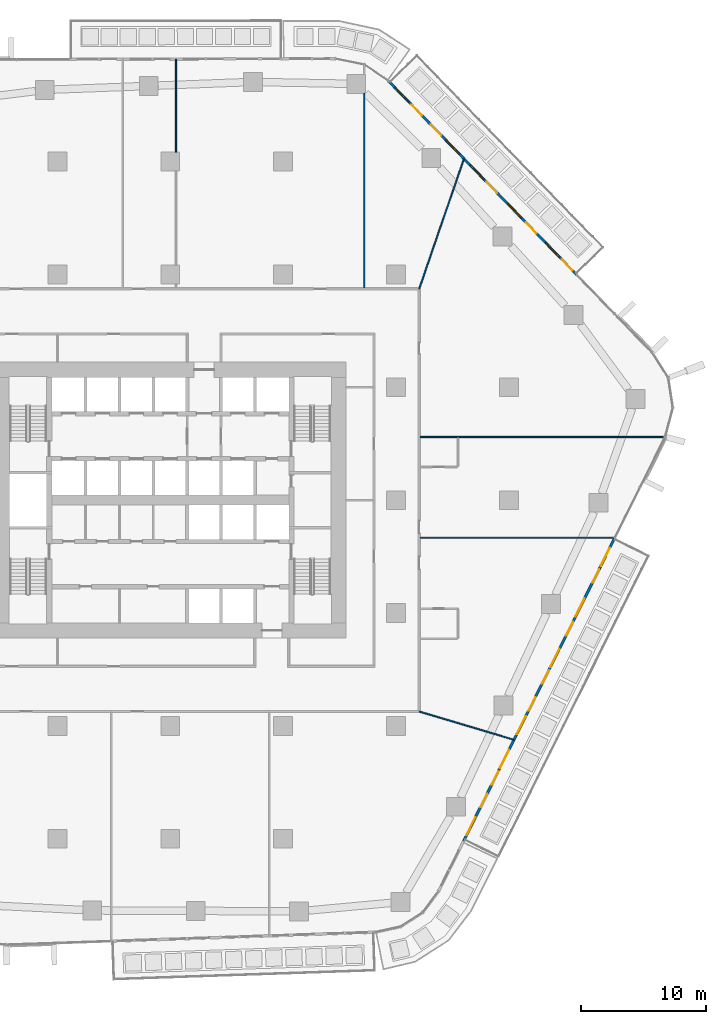
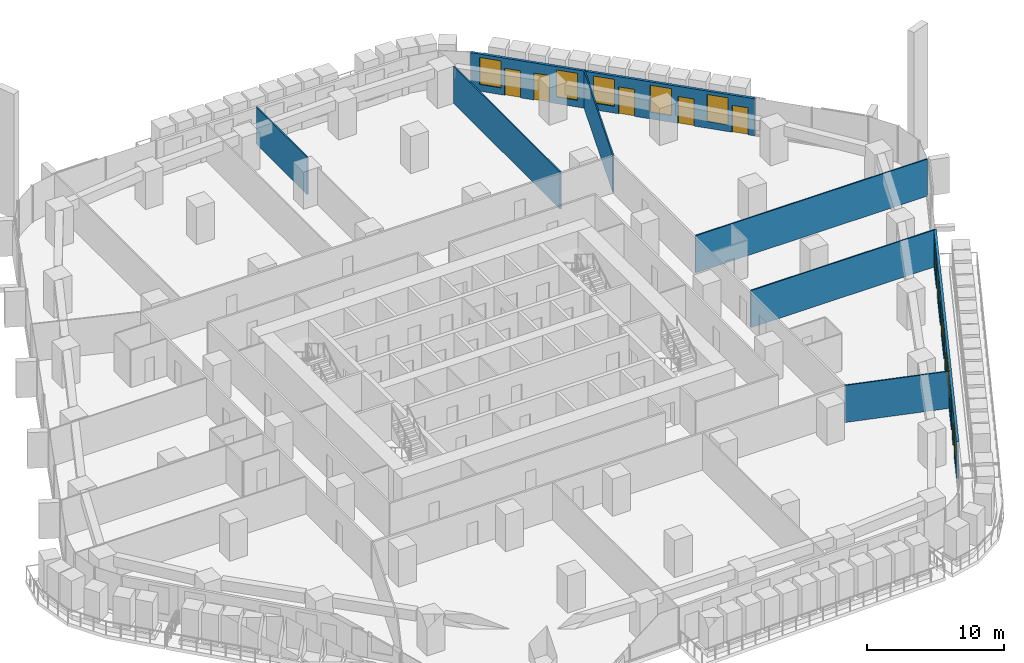
# One storey, part 17 of 26: 11 doors, 11 windows, 8 walls, 22 openings.
"""IFC4 building model written with IfcOpenShell, lengths in metres."""

import ifcopenshell
import ifcopenshell.guid

model = None  # the IFC model being written
_history = None  # IfcOwnerHistory: only IFC2X3 demands one
_inside = {}  # id of a spatial element -> (the spatial element, [elements in it])
_under = {}  # id of a project, library or spatial element -> (it, [spatial elements below it])
_declared = {}  # id of a project -> (the project, [libraries it declares])
_typed = {}  # id of a type object -> (the type object, [elements of that type])
_made_of = {}  # id of a material, layer set ... -> (it, [elements and type objects made of it])


def new_model(schema):
    """Start an empty IFC model of exactly this schema.

    Asked for "IFC4X3", IfcOpenShell would pick the latest addendum, in which some entities
    have other attributes; the version numbers below select the first issue.
    IFC2X3 requires an IfcOwnerHistory on every rooted entity: one is made here for all.
    """
    global model, _history
    if schema == "IFC4X3":
        model = ifcopenshell.file(schema_version=(4, 3, 0, 0))
    else:
        model = ifcopenshell.file(schema=schema)
    _inside.clear()
    _under.clear()
    _declared.clear()
    _typed.clear()
    _made_of.clear()
    _history = None
    if model.schema == "IFC2X3":
        org = make("IfcOrganization", Name="unknown")
        user = make(
            "IfcPersonAndOrganization",
            ThePerson=make("IfcPerson", FamilyName="unknown"),
            TheOrganization=org,
        )
        app = make(
            "IfcApplication",
            ApplicationDeveloper=org,
            Version="unknown",
            ApplicationFullName="unknown",
            ApplicationIdentifier="unknown",
        )
        _history = make(
            "IfcOwnerHistory",
            OwningUser=user,
            OwningApplication=app,
            ChangeAction="ADDED",
            CreationDate=0,
        )
    return model


def make(cls, **values):
    """One entity of the class cls with the attributes given. An attribute that is None is left unset."""
    return model.create_entity(
        cls, **{name: value for name, value in values.items() if value is not None}
    )


def rooted(cls, **values):
    """An entity with a GlobalId (a new one), such as an element, a storey or a relation."""
    return make(cls, GlobalId=ifcopenshell.guid.new(), OwnerHistory=_history, **values)


def si_unit(unit_type, name, prefix=None):
    """IfcSIUnit, for example si_unit("LENGTHUNIT", "METRE", prefix="MILLI")."""
    return make("IfcSIUnit", UnitType=unit_type, Prefix=prefix, Name=name)


def assignment(units):
    """IfcUnitAssignment: the units of a project."""
    return None if units is None else make("IfcUnitAssignment", Units=units)


def point(xyz):
    """IfcCartesianPoint."""
    return None if xyz is None else make("IfcCartesianPoint", Coordinates=xyz)


def direction(xyz):
    """IfcDirection."""
    return None if xyz is None else make("IfcDirection", DirectionRatios=xyz)


def frame(location, z_axis=None, x_axis=None):
    """IfcAxis2Placement3D, a coordinate frame: its origin and axes. An axis left out is left unset."""
    return make(
        "IfcAxis2Placement3D",
        Location=point(location),
        Axis=direction(z_axis),
        RefDirection=direction(x_axis),
    )


def frame_2d(location, x_axis=None):
    """IfcAxis2Placement2D, a coordinate frame in the plane: its origin and x axis."""
    return make(
        "IfcAxis2Placement2D", Location=point(location), RefDirection=direction(x_axis)
    )


def origin():
    """The frame at (0, 0, 0) with its axes left unset."""
    return frame((0.0, 0.0, 0.0))


def place(relative_to, where):
    """IfcLocalPlacement: puts the frame where relative to a parent placement (None: the world)."""
    return make(
        "IfcLocalPlacement", PlacementRelTo=relative_to, RelativePlacement=where
    )


def context(
    kind, dimensions, precision=None, world=None, true_north=None, identifier=None
):
    """IfcGeometricRepresentationContext, for example the 3D "Model" context."""
    return make(
        "IfcGeometricRepresentationContext",
        ContextIdentifier=identifier,
        ContextType=kind,
        CoordinateSpaceDimension=dimensions,
        Precision=precision,
        WorldCoordinateSystem=world,
        TrueNorth=true_north,
    )


def subcontext(parent, identifier, kind, view, scale=None):
    """IfcGeometricRepresentationSubContext, for example "Body" below "Model"."""
    return make(
        "IfcGeometricRepresentationSubContext",
        ContextIdentifier=identifier,
        ContextType=kind,
        ParentContext=parent,
        TargetScale=scale,
        TargetView=view,
    )


def project(units=None, contexts=None):
    """IfcProject with its units and contexts."""
    return rooted(
        "IfcProject",
        Name="project",
        RepresentationContexts=contexts,
        UnitsInContext=assignment(units),
    )


def spatial(cls, under=None, at=None, **own):
    """A site, building, storey or space (cls), placed at a placement, below another one or the project."""
    s = rooted(cls, ObjectPlacement=at, **own)
    if under is not None:
        _under.setdefault(under.id(), (under, []))[1].append(s)
    return s


def profile(cls, at=None, kind="AREA", **sizes):
    """A parametric profile (cls). Its sizes go by their IFC names, for example OverallWidth=200.0."""
    return make(cls, ProfileType=kind, Position=at, **sizes)


def rectangle(**sizes):
    """IfcRectangleProfileDef."""
    return profile("IfcRectangleProfileDef", **sizes)


def extrude(swept, where, along, depth):
    """IfcExtrudedAreaSolid: the profile swept, set in the frame where, extruded along a direction by depth."""
    return make(
        "IfcExtrudedAreaSolid",
        SweptArea=swept,
        Position=where,
        ExtrudedDirection=direction(along),
        Depth=depth,
    )


def shape(context_of_items, identifier, shape_type, items):
    """IfcShapeRepresentation: the items that make up one representation, for example the "Body"."""
    return make(
        "IfcShapeRepresentation",
        ContextOfItems=context_of_items,
        RepresentationIdentifier=identifier,
        RepresentationType=shape_type,
        Items=items,
    )


def material(Name=None, Category=None):
    """IfcMaterial."""
    return make("IfcMaterial", Name=Name, Category=Category)


def layer(
    of_material, thickness, ventilated=None, Name=None, Category=None, Priority=None
):
    """IfcMaterialLayer: one layer of a wall or slab, of a material (None: an air gap)."""
    return make(
        "IfcMaterialLayer",
        Material=of_material,
        LayerThickness=thickness,
        IsVentilated=ventilated,
        Name=Name,
        Category=Category,
        Priority=Priority,
    )


def layer_set(layers, Name=None):
    """IfcMaterialLayerSet."""
    return make("IfcMaterialLayerSet", MaterialLayers=layers, LayerSetName=Name)


def made_of(thing, what):
    """Note that an element or type object is made of a material, layer set ...; save() writes the relation."""
    if what is not None:
        _made_of.setdefault(what.id(), (what, []))[1].append(thing)
    return thing


def type_object(cls, material=None, **own):
    """A type object (cls), such as IfcWallType, which elements share."""
    return made_of(rooted(cls, **own), material)


def element(
    cls,
    number,
    at=None,
    inside=None,
    cuts=None,
    type_object=None,
    material=None,
    context=None,
    identifier="Body",
    shape_type=None,
    held_by="IfcProductDefinitionShape",
    body=None,
    shapes=None,
    **own,
):
    """One element of the class cls, such as IfcWall. Its Tag is "e" and its number.

    at: its placement. inside: the storey or other place that contains it. cuts: it is an
    opening in that element (IfcRelVoidsElement). A single representation is given by context,
    identifier, shape_type and body (its items); several are given by shapes. held_by: the class
    of the entity that holds the representations. save() writes the other relations.
    """
    e = rooted(cls, Tag="e%d" % number, ObjectPlacement=at, **own)
    if body is not None:
        shapes = [shape(context, identifier, shape_type, body)]
    if shapes is not None:
        e.Representation = make(held_by, Representations=shapes)
    if inside is not None:
        _inside.setdefault(inside.id(), (inside, []))[1].append(e)
    if cuts is not None:
        rooted(
            "IfcRelVoidsElement", RelatingBuildingElement=cuts, RelatedOpeningElement=e
        )
    if type_object is not None:
        _typed.setdefault(type_object.id(), (type_object, []))[1].append(e)
    return made_of(e, material)


def fill(opening, filler):
    """IfcRelFillsElement: the door or window that sits in an opening."""
    return rooted(
        "IfcRelFillsElement",
        RelatingOpeningElement=opening,
        RelatedBuildingElement=filler,
    )


def aggregate(whole, parts):
    """IfcRelAggregates: a whole, such as a stair, and the parts it consists of."""
    return rooted("IfcRelAggregates", RelatingObject=whole, RelatedObjects=parts)


def save(model, path):
    """Write the relations noted so far, then the file.

    IfcRelAggregates (storeys below a building ...), IfcRelContainedInSpatialStructure (elements
    in a storey), IfcRelDefinesByType, IfcRelAssociatesMaterial and IfcRelDeclares: one each for
    every whole, place, type object, material and project.
    """
    for whole, parts in _under.values():
        aggregate(whole, parts)
    for where, things in _inside.values():
        rooted(
            "IfcRelContainedInSpatialStructure",
            RelatedElements=things,
            RelatingStructure=where,
        )
    for kind, things in _typed.values():
        rooted("IfcRelDefinesByType", RelatedObjects=things, RelatingType=kind)
    for what, things in _made_of.values():
        rooted("IfcRelAssociatesMaterial", RelatedObjects=things, RelatingMaterial=what)
    for by, libraries in _declared.values():
        rooted("IfcRelDeclares", RelatingContext=by, RelatedDefinitions=libraries)
    model.write(path)


model = new_model("IFC4")

# Units and contexts
model_context = context("Model", 3, precision=1e-05, world=origin(), true_north=direction((0.0, 1.0)))
body_context = subcontext(model_context, "Body", "Model", "MODEL_VIEW")
ifc_project = project(units=[si_unit("LENGTHUNIT", "METRE"), si_unit("AREAUNIT", "SQUARE_METRE"), si_unit("VOLUMEUNIT", "CUBIC_METRE"), si_unit("PLANEANGLEUNIT", "RADIAN"), si_unit("MASSUNIT", "GRAM", prefix="KILO")], contexts=[model_context])

# Site, building, storey
site_placement = place(None, origin())
site = spatial("IfcSite", under=ifc_project, at=site_placement, CompositionType="ELEMENT")
building_placement = place(site_placement, origin())
building = spatial("IfcBuilding", under=site, at=building_placement, Name="Dongbaek Canopy Tower", CompositionType="ELEMENT")
storey_placement = place(building_placement, frame((0.0, 0.0, 66.199951171875)))
storey = spatial("IfcBuildingStorey", under=building, at=storey_placement, Name="L12", CompositionType="ELEMENT", Elevation=66.199951171875)

# Walls
ifc_material_1 = material(Name="Gypsum board partition, steel stud, 2 x 12.5 mm board", Category="steel")
ifc_layer_1 = layer(ifc_material_1, 0.10009765625)
ifc_layer_set_1 = layer_set([ifc_layer_1], Name="Partition 100 gypsum board")
wall_type_1 = type_object("IfcWallType", Name="Partition 100 gypsum board", PredefinedType="PARTITIONING", material=ifc_layer_set_1)
wall_1_placement = place(storey_placement, frame((19.925048828125, -3.0048828125, 0.0), z_axis=(0.0, 0.0, 1.0), x_axis=(1.0, 0.0, 0.0)))
element("IfcWall", 1, at=wall_1_placement, inside=storey, type_object=wall_type_1, Name="Partition", PredefinedType="PARTITIONING", context=body_context, shape_type="SweptSolid", body=[
    extrude(rectangle(XDim=15.5, YDim=0.10009765625, at=frame_2d((7.75, 0.0))), origin(), (0.0, 0.0, 1.0), 3.300048828125),
])
wall_2_placement = place(storey_placement, frame((19.925048828125, 5.0390625, 0.0), z_axis=(0.0, 0.0, 1.0), x_axis=(1.0, 0.0, 0.0)))
element("IfcWall", 2, at=wall_2_placement, inside=storey, type_object=wall_type_1, Name="Partition", PredefinedType="PARTITIONING", context=body_context, shape_type="SweptSolid", body=[
    extrude(rectangle(XDim=19.51318359375, YDim=0.10009765625, at=frame_2d((9.756591796875, 0.0))), origin(), (0.0, 0.0, 1.0), 3.300048828125),
])
wall_3_placement = place(storey_placement, frame((19.850341796875, 16.849853515625, 0.0), z_axis=(0.0, 0.0, 1.0), x_axis=(0.32525482398, 0.94562640587, 0.0)))
element("IfcWall", 3, at=wall_3_placement, inside=storey, type_object=wall_type_1, Name="Partition", PredefinedType="PARTITIONING", context=body_context, shape_type="SweptSolid", body=[
    extrude(rectangle(XDim=10.9521484375, YDim=0.10009765625, at=frame_2d((5.47607421875, 0.0))), origin(), (0.0, 0.0, 1.0), 3.300048828125),
])
wall_4_placement = place(storey_placement, frame((15.47607421875, 16.925048828125, 0.0), z_axis=(0.0, 0.0, 1.0), x_axis=(0.0, 1.0, 0.0)))
element("IfcWall", 4, at=wall_4_placement, inside=storey, type_object=wall_type_1, Name="Partition", PredefinedType="PARTITIONING", context=body_context, shape_type="SweptSolid", body=[
    extrude(rectangle(XDim=15.51904296875, YDim=0.10009765625, at=frame_2d((7.759521484375, 0.0))), origin(), (0.0, 0.0, 1.0), 3.300048828125),
])
wall_5_placement = place(storey_placement, frame((0.451904296875, 27.75, 0.0), z_axis=(0.0, 0.0, 1.0), x_axis=(0.0, 1.0, 0.0)))
element("IfcWall", 5, at=wall_5_placement, inside=storey, type_object=wall_type_1, Name="Partition", PredefinedType="PARTITIONING", context=body_context, shape_type="SweptSolid", body=[
    extrude(rectangle(XDim=7.407470703125, YDim=0.10009765625, at=frame_2d((3.70361328125, 0.0))), origin(), (0.0, 0.0, 1.0), 3.300048828125),
])
wall_6_placement = place(storey_placement, frame((19.85009765625, -16.85009765625, 0.0), z_axis=(0.0, 0.0, 1.0), x_axis=(0.958075156501, -0.286517005597, 0.0)))
element("IfcWall", 6, at=wall_6_placement, inside=storey, type_object=wall_type_1, Name="Partition", PredefinedType="PARTITIONING", context=body_context, shape_type="SweptSolid", body=[
    extrude(rectangle(XDim=7.87255859375, YDim=0.10009765625, at=frame_2d((3.936279296875, 0.0))), origin(), (0.0, 0.0, 1.0), 3.300048828125),
])

# Wall, openings, doors, windows
ifc_material_2 = material(Name="Aluminium window wall", Category="aluminium")
ifc_layer_2 = layer(ifc_material_2, 0.199951171875)
ifc_layer_set_2 = layer_set([ifc_layer_2], Name="Window wall 200")
wall_type_2 = type_object("IfcWallType", Name="Window wall 200", PredefinedType="SOLIDWALL", material=ifc_layer_set_2)
wall_7_placement = place(storey_placement, frame((32.41650390625, 17.968994140625, 0.0), z_axis=(0.0, 0.0, 1.0), x_axis=(-0.696878416696, 0.717189286272, 0.0)))
wall_7 = element("IfcWall", 7, at=wall_7_placement, inside=storey, type_object=wall_type_2, Name="Window wall L12 1", PredefinedType="SOLIDWALL", context=body_context, shape_type="SweptSolid", body=[
    extrude(rectangle(XDim=21.51611328125, YDim=0.199951171875, at=frame_2d((10.758056640625, 0.0))), origin(), (0.0, 0.0, 1.0), 3.300048828125),
])
opening_1_placement = place(wall_7_placement, frame((2.0, 0.0, 0.60009765625)))
opening_1 = element("IfcOpeningElement", 8, at=opening_1_placement, cuts=wall_7, Name="Opening W1", PredefinedType="OPENING", context=body_context, shape_type="SweptSolid", body=[
    extrude(rectangle(XDim=1.60009765625, YDim=2.39990234375, at=frame_2d((0.800048828125, 1.199951171875))), frame((0.0, 0.10986328125, 0.0), z_axis=(0.0, -1.0, 0.0), x_axis=(1.0, 0.0, 0.0)), (0.0, 0.0, 1.0), 0.219970703125),
])
opening_2_placement = place(wall_7_placement, frame((0.5, 0.0, 0.0)))
opening_2 = element("IfcOpeningElement", 9, at=opening_2_placement, cuts=wall_7, Name="Opening L12-B01", PredefinedType="OPENING", context=body_context, shape_type="SweptSolid", body=[
    extrude(rectangle(XDim=1.199951171875, YDim=2.39990234375, at=frame_2d((0.60009765625, 1.199951171875))), frame((0.0, 0.10986328125, 0.0), z_axis=(0.0, -1.0, 0.0), x_axis=(1.0, 0.0, 0.0)), (0.0, 0.0, 1.0), 0.219970703125),
])
opening_3_placement = place(wall_7_placement, frame((6.30322265625, 0.0, 0.60009765625)))
opening_3 = element("IfcOpeningElement", 10, at=opening_3_placement, cuts=wall_7, Name="Opening W1", PredefinedType="OPENING", context=body_context, shape_type="SweptSolid", body=[
    extrude(rectangle(XDim=1.60009765625, YDim=2.39990234375, at=frame_2d((0.800048828125, 1.199951171875))), frame((0.0, 0.10986328125, 0.0), z_axis=(0.0, -1.0, 0.0), x_axis=(1.0, 0.0, 0.0)), (0.0, 0.0, 1.0), 0.219970703125),
])
opening_4_placement = place(wall_7_placement, frame((4.603271484375, 0.0, 0.0)))
opening_4 = element("IfcOpeningElement", 11, at=opening_4_placement, cuts=wall_7, Name="Opening L12-B02", PredefinedType="OPENING", context=body_context, shape_type="SweptSolid", body=[
    extrude(rectangle(XDim=1.199951171875, YDim=2.39990234375, at=frame_2d((0.60009765625, 1.199951171875))), frame((0.0, 0.10986328125, 0.0), z_axis=(0.0, -1.0, 0.0), x_axis=(1.0, 0.0, 0.0)), (0.0, 0.0, 1.0), 0.219970703125),
])
opening_5_placement = place(wall_7_placement, frame((10.6064453125, 0.0, 0.60009765625)))
opening_5 = element("IfcOpeningElement", 12, at=opening_5_placement, cuts=wall_7, Name="Opening W1", PredefinedType="OPENING", context=body_context, shape_type="SweptSolid", body=[
    extrude(rectangle(XDim=1.60009765625, YDim=2.39990234375, at=frame_2d((0.800048828125, 1.199951171875))), frame((0.0, 0.10986328125, 0.0), z_axis=(0.0, -1.0, 0.0), x_axis=(1.0, 0.0, 0.0)), (0.0, 0.0, 1.0), 0.219970703125),
])
opening_6_placement = place(wall_7_placement, frame((9.1064453125, 0.0, 0.0)))
opening_6 = element("IfcOpeningElement", 13, at=opening_6_placement, cuts=wall_7, Name="Opening L12-B03", PredefinedType="OPENING", context=body_context, shape_type="SweptSolid", body=[
    extrude(rectangle(XDim=1.199951171875, YDim=2.39990234375, at=frame_2d((0.60009765625, 1.199951171875))), frame((0.0, 0.10986328125, 0.0), z_axis=(0.0, -1.0, 0.0), x_axis=(1.0, 0.0, 0.0)), (0.0, 0.0, 1.0), 0.219970703125),
])
opening_7_placement = place(wall_7_placement, frame((13.40966796875, 0.0, 0.60009765625)))
opening_7 = element("IfcOpeningElement", 14, at=opening_7_placement, cuts=wall_7, Name="Opening W1", PredefinedType="OPENING", context=body_context, shape_type="SweptSolid", body=[
    extrude(rectangle(XDim=1.60009765625, YDim=2.39990234375, at=frame_2d((0.800048828125, 1.199951171875))), frame((0.0, 0.10986328125, 0.0), z_axis=(0.0, -1.0, 0.0), x_axis=(1.0, 0.0, 0.0)), (0.0, 0.0, 1.0), 0.219970703125),
])
opening_8_placement = place(wall_7_placement, frame((15.509765625, 0.0, 0.0)))
opening_8 = element("IfcOpeningElement", 15, at=opening_8_placement, cuts=wall_7, Name="Opening L12-B04", PredefinedType="OPENING", context=body_context, shape_type="SweptSolid", body=[
    extrude(rectangle(XDim=1.199951171875, YDim=2.39990234375, at=frame_2d((0.60009765625, 1.199951171875))), frame((0.0, 0.10986328125, 0.0), z_axis=(0.0, -1.0, 0.0), x_axis=(1.0, 0.0, 0.0)), (0.0, 0.0, 1.0), 0.219970703125),
])
opening_9_placement = place(wall_7_placement, frame((19.212890625, 0.0, 0.60009765625)))
opening_9 = element("IfcOpeningElement", 16, at=opening_9_placement, cuts=wall_7, Name="Opening W1", PredefinedType="OPENING", context=body_context, shape_type="SweptSolid", body=[
    extrude(rectangle(XDim=1.60009765625, YDim=2.39990234375, at=frame_2d((0.800048828125, 1.199951171875))), frame((0.0, 0.10986328125, 0.0), z_axis=(0.0, -1.0, 0.0), x_axis=(1.0, 0.0, 0.0)), (0.0, 0.0, 1.0), 0.219970703125),
])
opening_10_placement = place(wall_7_placement, frame((17.712890625, 0.0, 0.0)))
opening_10 = element("IfcOpeningElement", 17, at=opening_10_placement, cuts=wall_7, Name="Opening L12-B05", PredefinedType="OPENING", context=body_context, shape_type="SweptSolid", body=[
    extrude(rectangle(XDim=1.199951171875, YDim=2.39990234375, at=frame_2d((0.60009765625, 1.199951171875))), frame((0.0, 0.10986328125, 0.0), z_axis=(0.0, -1.0, 0.0), x_axis=(1.0, 0.0, 0.0)), (0.0, 0.0, 1.0), 0.219970703125),
])
ifc_material_3 = material(Name="Clear glazing in aluminium frame", Category="aluminium")
door_type = type_object("IfcDoorType", Name="Balcony door BD1 1200 x 2400", OperationType="SLIDING_TO_LEFT", PredefinedType="DOOR", material=ifc_material_3)
door_1_placement = place(opening_2_placement, origin())
door_1 = element("IfcDoor", 18, at=door_1_placement, inside=storey, type_object=door_type, Name="Balcony door L12-B01", OperationType="SLIDING_TO_LEFT", OverallHeight=2.39990234375, OverallWidth=1.199951171875, PredefinedType="DOOR", context=body_context, shape_type="SweptSolid", body=[
    extrude(rectangle(XDim=1.199951171875, YDim=2.39990234375, at=frame_2d((0.60009765625, 1.199951171875))), frame((0.0, 0.02490234375, 0.0), z_axis=(0.0, -1.0, 0.0), x_axis=(1.0, 0.0, 0.0)), (0.0, 0.0, 1.0), 0.050048828125),
])
fill(opening_2, door_1)
door_2_placement = place(opening_4_placement, origin())
door_2 = element("IfcDoor", 19, at=door_2_placement, inside=storey, type_object=door_type, Name="Balcony door L12-B02", OperationType="SLIDING_TO_LEFT", OverallHeight=2.39990234375, OverallWidth=1.199951171875, PredefinedType="DOOR", context=body_context, shape_type="SweptSolid", body=[
    extrude(rectangle(XDim=1.199951171875, YDim=2.39990234375, at=frame_2d((0.60009765625, 1.199951171875))), frame((0.0, 0.02490234375, 0.0), z_axis=(0.0, -1.0, 0.0), x_axis=(1.0, 0.0, 0.0)), (0.0, 0.0, 1.0), 0.050048828125),
])
fill(opening_4, door_2)
door_3_placement = place(opening_6_placement, origin())
door_3 = element("IfcDoor", 20, at=door_3_placement, inside=storey, type_object=door_type, Name="Balcony door L12-B03", OperationType="SLIDING_TO_LEFT", OverallHeight=2.39990234375, OverallWidth=1.199951171875, PredefinedType="DOOR", context=body_context, shape_type="SweptSolid", body=[
    extrude(rectangle(XDim=1.199951171875, YDim=2.39990234375, at=frame_2d((0.60009765625, 1.199951171875))), frame((0.0, 0.02490234375, 0.0), z_axis=(0.0, -1.0, 0.0), x_axis=(1.0, 0.0, 0.0)), (0.0, 0.0, 1.0), 0.050048828125),
])
fill(opening_6, door_3)
door_4_placement = place(opening_8_placement, origin())
door_4 = element("IfcDoor", 21, at=door_4_placement, inside=storey, type_object=door_type, Name="Balcony door L12-B04", OperationType="SLIDING_TO_LEFT", OverallHeight=2.39990234375, OverallWidth=1.199951171875, PredefinedType="DOOR", context=body_context, shape_type="SweptSolid", body=[
    extrude(rectangle(XDim=1.199951171875, YDim=2.39990234375, at=frame_2d((0.60009765625, 1.199951171875))), frame((0.0, 0.02490234375, 0.0), z_axis=(0.0, -1.0, 0.0), x_axis=(1.0, 0.0, 0.0)), (0.0, 0.0, 1.0), 0.050048828125),
])
fill(opening_8, door_4)
door_5_placement = place(opening_10_placement, origin())
door_5 = element("IfcDoor", 22, at=door_5_placement, inside=storey, type_object=door_type, Name="Balcony door L12-B05", OperationType="SLIDING_TO_LEFT", OverallHeight=2.39990234375, OverallWidth=1.199951171875, PredefinedType="DOOR", context=body_context, shape_type="SweptSolid", body=[
    extrude(rectangle(XDim=1.199951171875, YDim=2.39990234375, at=frame_2d((0.60009765625, 1.199951171875))), frame((0.0, 0.02490234375, 0.0), z_axis=(0.0, -1.0, 0.0), x_axis=(1.0, 0.0, 0.0)), (0.0, 0.0, 1.0), 0.050048828125),
])
fill(opening_10, door_5)
ifc_material_4 = material(Name="Clear glazing in aluminium frame", Category="aluminium")
window_type = type_object("IfcWindowType", Name="Window W1 1600 x 2400", PartitioningType="SINGLE_PANEL", PredefinedType="WINDOW", material=ifc_material_4)
window_1_placement = place(opening_1_placement, origin())
window_1 = element("IfcWindow", 23, at=window_1_placement, inside=storey, type_object=window_type, Name="Window L12 1.1", OverallHeight=2.39990234375, OverallWidth=1.60009765625, PartitioningType="SINGLE_PANEL", PredefinedType="WINDOW", context=body_context, shape_type="SweptSolid", body=[
    extrude(rectangle(XDim=1.60009765625, YDim=2.39990234375, at=frame_2d((0.800048828125, 1.199951171875))), frame((0.0, 0.030029296875, 0.0), z_axis=(0.0, -1.0, 0.0), x_axis=(1.0, 0.0, 0.0)), (0.0, 0.0, 1.0), 0.06005859375),
])
fill(opening_1, window_1)
window_2_placement = place(opening_3_placement, origin())
window_2 = element("IfcWindow", 24, at=window_2_placement, inside=storey, type_object=window_type, Name="Window L12 1.2", OverallHeight=2.39990234375, OverallWidth=1.60009765625, PartitioningType="SINGLE_PANEL", PredefinedType="WINDOW", context=body_context, shape_type="SweptSolid", body=[
    extrude(rectangle(XDim=1.60009765625, YDim=2.39990234375, at=frame_2d((0.800048828125, 1.199951171875))), frame((0.0, 0.030029296875, 0.0), z_axis=(0.0, -1.0, 0.0), x_axis=(1.0, 0.0, 0.0)), (0.0, 0.0, 1.0), 0.06005859375),
])
fill(opening_3, window_2)
window_3_placement = place(opening_5_placement, origin())
window_3 = element("IfcWindow", 25, at=window_3_placement, inside=storey, type_object=window_type, Name="Window L12 1.3", OverallHeight=2.39990234375, OverallWidth=1.60009765625, PartitioningType="SINGLE_PANEL", PredefinedType="WINDOW", context=body_context, shape_type="SweptSolid", body=[
    extrude(rectangle(XDim=1.60009765625, YDim=2.39990234375, at=frame_2d((0.800048828125, 1.199951171875))), frame((0.0, 0.030029296875, 0.0), z_axis=(0.0, -1.0, 0.0), x_axis=(1.0, 0.0, 0.0)), (0.0, 0.0, 1.0), 0.06005859375),
])
fill(opening_5, window_3)
window_4_placement = place(opening_7_placement, origin())
window_4 = element("IfcWindow", 26, at=window_4_placement, inside=storey, type_object=window_type, Name="Window L12 1.4", OverallHeight=2.39990234375, OverallWidth=1.60009765625, PartitioningType="SINGLE_PANEL", PredefinedType="WINDOW", context=body_context, shape_type="SweptSolid", body=[
    extrude(rectangle(XDim=1.60009765625, YDim=2.39990234375, at=frame_2d((0.800048828125, 1.199951171875))), frame((0.0, 0.030029296875, 0.0), z_axis=(0.0, -1.0, 0.0), x_axis=(1.0, 0.0, 0.0)), (0.0, 0.0, 1.0), 0.06005859375),
])
fill(opening_7, window_4)
window_5_placement = place(opening_9_placement, origin())
window_5 = element("IfcWindow", 27, at=window_5_placement, inside=storey, type_object=window_type, Name="Window L12 1.5", OverallHeight=2.39990234375, OverallWidth=1.60009765625, PartitioningType="SINGLE_PANEL", PredefinedType="WINDOW", context=body_context, shape_type="SweptSolid", body=[
    extrude(rectangle(XDim=1.60009765625, YDim=2.39990234375, at=frame_2d((0.800048828125, 1.199951171875))), frame((0.0, 0.030029296875, 0.0), z_axis=(0.0, -1.0, 0.0), x_axis=(1.0, 0.0, 0.0)), (0.0, 0.0, 1.0), 0.06005859375),
])
fill(opening_9, window_5)

wall_8_placement = place(storey_placement, frame((23.394287109375, -27.1650390625, 0.0), z_axis=(0.0, 0.0, 1.0), x_axis=(0.446421309396, 0.894822895615, 0.0)))
wall_8 = element("IfcWall", 28, at=wall_8_placement, inside=storey, type_object=wall_type_2, Name="Window wall L12 5", PredefinedType="SOLIDWALL", context=body_context, shape_type="SweptSolid", body=[
    extrude(rectangle(XDim=26.999755859375, YDim=0.199951171875, at=frame_2d((13.5, 0.0))), origin(), (0.0, 0.0, 1.0), 3.300048828125),
])
opening_11_placement = place(wall_8_placement, frame((0.5, 0.0, 0.60009765625)))
opening_11 = element("IfcOpeningElement", 29, at=opening_11_placement, cuts=wall_8, Name="Opening W1", PredefinedType="OPENING", context=body_context, shape_type="SweptSolid", body=[
    extrude(rectangle(XDim=1.60009765625, YDim=2.39990234375, at=frame_2d((0.800048828125, 1.199951171875))), frame((0.0, 0.10986328125, 0.0), z_axis=(0.0, -1.0, 0.0), x_axis=(1.0, 0.0, 0.0)), (0.0, 0.0, 1.0), 0.219970703125),
])
opening_12_placement = place(wall_8_placement, frame((3.0, 0.0, 0.0)))
opening_12 = element("IfcOpeningElement", 30, at=opening_12_placement, cuts=wall_8, Name="Opening L12-B21", PredefinedType="OPENING", context=body_context, shape_type="SweptSolid", body=[
    extrude(rectangle(XDim=1.199951171875, YDim=2.39990234375, at=frame_2d((0.60009765625, 1.199951171875))), frame((0.0, 0.10986328125, 0.0), z_axis=(0.0, -1.0, 0.0), x_axis=(1.0, 0.0, 0.0)), (0.0, 0.0, 1.0), 0.219970703125),
])
opening_13_placement = place(wall_8_placement, frame((6.5, 0.0, 0.60009765625)))
opening_13 = element("IfcOpeningElement", 31, at=opening_13_placement, cuts=wall_8, Name="Opening W1", PredefinedType="OPENING", context=body_context, shape_type="SweptSolid", body=[
    extrude(rectangle(XDim=1.60009765625, YDim=2.39990234375, at=frame_2d((0.800048828125, 1.199951171875))), frame((0.0, 0.10986328125, 0.0), z_axis=(0.0, -1.0, 0.0), x_axis=(1.0, 0.0, 0.0)), (0.0, 0.0, 1.0), 0.219970703125),
])
opening_14_placement = place(wall_8_placement, frame((5.0, 0.0, 0.0)))
opening_14 = element("IfcOpeningElement", 32, at=opening_14_placement, cuts=wall_8, Name="Opening L12-B22", PredefinedType="OPENING", context=body_context, shape_type="SweptSolid", body=[
    extrude(rectangle(XDim=1.199951171875, YDim=2.39990234375, at=frame_2d((0.60009765625, 1.199951171875))), frame((0.0, 0.10986328125, 0.0), z_axis=(0.0, -1.0, 0.0), x_axis=(1.0, 0.0, 0.0)), (0.0, 0.0, 1.0), 0.219970703125),
])
opening_15_placement = place(wall_8_placement, frame((9.5, 0.0, 0.60009765625)))
opening_15 = element("IfcOpeningElement", 33, at=opening_15_placement, cuts=wall_8, Name="Opening W1", PredefinedType="OPENING", context=body_context, shape_type="SweptSolid", body=[
    extrude(rectangle(XDim=1.60009765625, YDim=2.39990234375, at=frame_2d((0.800048828125, 1.199951171875))), frame((0.0, 0.10986328125, 0.0), z_axis=(0.0, -1.0, 0.0), x_axis=(1.0, 0.0, 0.0)), (0.0, 0.0, 1.0), 0.219970703125),
])
opening_16_placement = place(wall_8_placement, frame((11.599853515625, 0.0, 0.0)))
opening_16 = element("IfcOpeningElement", 34, at=opening_16_placement, cuts=wall_8, Name="Opening L12-B23", PredefinedType="OPENING", context=body_context, shape_type="SweptSolid", body=[
    extrude(rectangle(XDim=1.199951171875, YDim=2.39990234375, at=frame_2d((0.60009765625, 1.199951171875))), frame((0.0, 0.10986328125, 0.0), z_axis=(0.0, -1.0, 0.0), x_axis=(1.0, 0.0, 0.0)), (0.0, 0.0, 1.0), 0.219970703125),
])
opening_17_placement = place(wall_8_placement, frame((15.499755859375, 0.0, 0.60009765625)))
opening_17 = element("IfcOpeningElement", 35, at=opening_17_placement, cuts=wall_8, Name="Opening W1", PredefinedType="OPENING", context=body_context, shape_type="SweptSolid", body=[
    extrude(rectangle(XDim=1.60009765625, YDim=2.39990234375, at=frame_2d((0.800048828125, 1.199951171875))), frame((0.0, 0.10986328125, 0.0), z_axis=(0.0, -1.0, 0.0), x_axis=(1.0, 0.0, 0.0)), (0.0, 0.0, 1.0), 0.219970703125),
])
opening_18_placement = place(wall_8_placement, frame((13.999755859375, 0.0, 0.0)))
opening_18 = element("IfcOpeningElement", 36, at=opening_18_placement, cuts=wall_8, Name="Opening L12-B24", PredefinedType="OPENING", context=body_context, shape_type="SweptSolid", body=[
    extrude(rectangle(XDim=1.199951171875, YDim=2.39990234375, at=frame_2d((0.60009765625, 1.199951171875))), frame((0.0, 0.10986328125, 0.0), z_axis=(0.0, -1.0, 0.0), x_axis=(1.0, 0.0, 0.0)), (0.0, 0.0, 1.0), 0.219970703125),
])
opening_19_placement = place(wall_8_placement, frame((19.999755859375, 0.0, 0.60009765625)))
opening_19 = element("IfcOpeningElement", 37, at=opening_19_placement, cuts=wall_8, Name="Opening W1", PredefinedType="OPENING", context=body_context, shape_type="SweptSolid", body=[
    extrude(rectangle(XDim=1.60009765625, YDim=2.39990234375, at=frame_2d((0.800048828125, 1.199951171875))), frame((0.0, 0.10986328125, 0.0), z_axis=(0.0, -1.0, 0.0), x_axis=(1.0, 0.0, 0.0)), (0.0, 0.0, 1.0), 0.219970703125),
])
opening_20_placement = place(wall_8_placement, frame((18.2998046875, 0.0, 0.0)))
opening_20 = element("IfcOpeningElement", 38, at=opening_20_placement, cuts=wall_8, Name="Opening L12-B25", PredefinedType="OPENING", context=body_context, shape_type="SweptSolid", body=[
    extrude(rectangle(XDim=1.199951171875, YDim=2.39990234375, at=frame_2d((0.60009765625, 1.199951171875))), frame((0.0, 0.10986328125, 0.0), z_axis=(0.0, -1.0, 0.0), x_axis=(1.0, 0.0, 0.0)), (0.0, 0.0, 1.0), 0.219970703125),
])
opening_21_placement = place(wall_8_placement, frame((24.499755859375, 0.0, 0.60009765625)))
opening_21 = element("IfcOpeningElement", 39, at=opening_21_placement, cuts=wall_8, Name="Opening W1", PredefinedType="OPENING", context=body_context, shape_type="SweptSolid", body=[
    extrude(rectangle(XDim=1.60009765625, YDim=2.39990234375, at=frame_2d((0.800048828125, 1.199951171875))), frame((0.0, 0.10986328125, 0.0), z_axis=(0.0, -1.0, 0.0), x_axis=(1.0, 0.0, 0.0)), (0.0, 0.0, 1.0), 0.219970703125),
])
opening_22_placement = place(wall_8_placement, frame((22.999755859375, 0.0, 0.0)))
opening_22 = element("IfcOpeningElement", 40, at=opening_22_placement, cuts=wall_8, Name="Opening L12-B26", PredefinedType="OPENING", context=body_context, shape_type="SweptSolid", body=[
    extrude(rectangle(XDim=1.199951171875, YDim=2.39990234375, at=frame_2d((0.60009765625, 1.199951171875))), frame((0.0, 0.10986328125, 0.0), z_axis=(0.0, -1.0, 0.0), x_axis=(1.0, 0.0, 0.0)), (0.0, 0.0, 1.0), 0.219970703125),
])
door_6_placement = place(opening_12_placement, origin())
door_6 = element("IfcDoor", 41, at=door_6_placement, inside=storey, type_object=door_type, Name="Balcony door L12-B21", OperationType="SLIDING_TO_LEFT", OverallHeight=2.39990234375, OverallWidth=1.199951171875, PredefinedType="DOOR", context=body_context, shape_type="SweptSolid", body=[
    extrude(rectangle(XDim=1.199951171875, YDim=2.39990234375, at=frame_2d((0.60009765625, 1.199951171875))), frame((0.0, 0.02490234375, 0.0), z_axis=(0.0, -1.0, 0.0), x_axis=(1.0, 0.0, 0.0)), (0.0, 0.0, 1.0), 0.050048828125),
])
fill(opening_12, door_6)
door_7_placement = place(opening_14_placement, origin())
door_7 = element("IfcDoor", 42, at=door_7_placement, inside=storey, type_object=door_type, Name="Balcony door L12-B22", OperationType="SLIDING_TO_LEFT", OverallHeight=2.39990234375, OverallWidth=1.199951171875, PredefinedType="DOOR", context=body_context, shape_type="SweptSolid", body=[
    extrude(rectangle(XDim=1.199951171875, YDim=2.39990234375, at=frame_2d((0.60009765625, 1.199951171875))), frame((0.0, 0.02490234375, 0.0), z_axis=(0.0, -1.0, 0.0), x_axis=(1.0, 0.0, 0.0)), (0.0, 0.0, 1.0), 0.050048828125),
])
fill(opening_14, door_7)
door_8_placement = place(opening_16_placement, origin())
door_8 = element("IfcDoor", 43, at=door_8_placement, inside=storey, type_object=door_type, Name="Balcony door L12-B23", OperationType="SLIDING_TO_LEFT", OverallHeight=2.39990234375, OverallWidth=1.199951171875, PredefinedType="DOOR", context=body_context, shape_type="SweptSolid", body=[
    extrude(rectangle(XDim=1.199951171875, YDim=2.39990234375, at=frame_2d((0.60009765625, 1.199951171875))), frame((0.0, 0.02490234375, 0.0), z_axis=(0.0, -1.0, 0.0), x_axis=(1.0, 0.0, 0.0)), (0.0, 0.0, 1.0), 0.050048828125),
])
fill(opening_16, door_8)
door_9_placement = place(opening_18_placement, origin())
door_9 = element("IfcDoor", 44, at=door_9_placement, inside=storey, type_object=door_type, Name="Balcony door L12-B24", OperationType="SLIDING_TO_LEFT", OverallHeight=2.39990234375, OverallWidth=1.199951171875, PredefinedType="DOOR", context=body_context, shape_type="SweptSolid", body=[
    extrude(rectangle(XDim=1.199951171875, YDim=2.39990234375, at=frame_2d((0.60009765625, 1.199951171875))), frame((0.0, 0.02490234375, 0.0), z_axis=(0.0, -1.0, 0.0), x_axis=(1.0, 0.0, 0.0)), (0.0, 0.0, 1.0), 0.050048828125),
])
fill(opening_18, door_9)
door_10_placement = place(opening_20_placement, origin())
door_10 = element("IfcDoor", 45, at=door_10_placement, inside=storey, type_object=door_type, Name="Balcony door L12-B25", OperationType="SLIDING_TO_LEFT", OverallHeight=2.39990234375, OverallWidth=1.199951171875, PredefinedType="DOOR", context=body_context, shape_type="SweptSolid", body=[
    extrude(rectangle(XDim=1.199951171875, YDim=2.39990234375, at=frame_2d((0.60009765625, 1.199951171875))), frame((0.0, 0.02490234375, 0.0), z_axis=(0.0, -1.0, 0.0), x_axis=(1.0, 0.0, 0.0)), (0.0, 0.0, 1.0), 0.050048828125),
])
fill(opening_20, door_10)
door_11_placement = place(opening_22_placement, origin())
door_11 = element("IfcDoor", 46, at=door_11_placement, inside=storey, type_object=door_type, Name="Balcony door L12-B26", OperationType="SLIDING_TO_LEFT", OverallHeight=2.39990234375, OverallWidth=1.199951171875, PredefinedType="DOOR", context=body_context, shape_type="SweptSolid", body=[
    extrude(rectangle(XDim=1.199951171875, YDim=2.39990234375, at=frame_2d((0.60009765625, 1.199951171875))), frame((0.0, 0.02490234375, 0.0), z_axis=(0.0, -1.0, 0.0), x_axis=(1.0, 0.0, 0.0)), (0.0, 0.0, 1.0), 0.050048828125),
])
fill(opening_22, door_11)
window_6_placement = place(opening_11_placement, origin())
window_6 = element("IfcWindow", 47, at=window_6_placement, inside=storey, type_object=window_type, Name="Window L12 5.1", OverallHeight=2.39990234375, OverallWidth=1.60009765625, PartitioningType="SINGLE_PANEL", PredefinedType="WINDOW", context=body_context, shape_type="SweptSolid", body=[
    extrude(rectangle(XDim=1.60009765625, YDim=2.39990234375, at=frame_2d((0.800048828125, 1.199951171875))), frame((0.0, 0.030029296875, 0.0), z_axis=(0.0, -1.0, 0.0), x_axis=(1.0, 0.0, 0.0)), (0.0, 0.0, 1.0), 0.06005859375),
])
fill(opening_11, window_6)
window_7_placement = place(opening_13_placement, origin())
window_7 = element("IfcWindow", 48, at=window_7_placement, inside=storey, type_object=window_type, Name="Window L12 5.2", OverallHeight=2.39990234375, OverallWidth=1.60009765625, PartitioningType="SINGLE_PANEL", PredefinedType="WINDOW", context=body_context, shape_type="SweptSolid", body=[
    extrude(rectangle(XDim=1.60009765625, YDim=2.39990234375, at=frame_2d((0.800048828125, 1.199951171875))), frame((0.0, 0.030029296875, 0.0), z_axis=(0.0, -1.0, 0.0), x_axis=(1.0, 0.0, 0.0)), (0.0, 0.0, 1.0), 0.06005859375),
])
fill(opening_13, window_7)
window_8_placement = place(opening_15_placement, origin())
window_8 = element("IfcWindow", 49, at=window_8_placement, inside=storey, type_object=window_type, Name="Window L12 5.3", OverallHeight=2.39990234375, OverallWidth=1.60009765625, PartitioningType="SINGLE_PANEL", PredefinedType="WINDOW", context=body_context, shape_type="SweptSolid", body=[
    extrude(rectangle(XDim=1.60009765625, YDim=2.39990234375, at=frame_2d((0.800048828125, 1.199951171875))), frame((0.0, 0.030029296875, 0.0), z_axis=(0.0, -1.0, 0.0), x_axis=(1.0, 0.0, 0.0)), (0.0, 0.0, 1.0), 0.06005859375),
])
fill(opening_15, window_8)
window_9_placement = place(opening_17_placement, origin())
window_9 = element("IfcWindow", 50, at=window_9_placement, inside=storey, type_object=window_type, Name="Window L12 5.4", OverallHeight=2.39990234375, OverallWidth=1.60009765625, PartitioningType="SINGLE_PANEL", PredefinedType="WINDOW", context=body_context, shape_type="SweptSolid", body=[
    extrude(rectangle(XDim=1.60009765625, YDim=2.39990234375, at=frame_2d((0.800048828125, 1.199951171875))), frame((0.0, 0.030029296875, 0.0), z_axis=(0.0, -1.0, 0.0), x_axis=(1.0, 0.0, 0.0)), (0.0, 0.0, 1.0), 0.06005859375),
])
fill(opening_17, window_9)
window_10_placement = place(opening_19_placement, origin())
window_10 = element("IfcWindow", 51, at=window_10_placement, inside=storey, type_object=window_type, Name="Window L12 5.5", OverallHeight=2.39990234375, OverallWidth=1.60009765625, PartitioningType="SINGLE_PANEL", PredefinedType="WINDOW", context=body_context, shape_type="SweptSolid", body=[
    extrude(rectangle(XDim=1.60009765625, YDim=2.39990234375, at=frame_2d((0.800048828125, 1.199951171875))), frame((0.0, 0.030029296875, 0.0), z_axis=(0.0, -1.0, 0.0), x_axis=(1.0, 0.0, 0.0)), (0.0, 0.0, 1.0), 0.06005859375),
])
fill(opening_19, window_10)
window_11_placement = place(opening_21_placement, origin())
window_11 = element("IfcWindow", 52, at=window_11_placement, inside=storey, type_object=window_type, Name="Window L12 5.6", OverallHeight=2.39990234375, OverallWidth=1.60009765625, PartitioningType="SINGLE_PANEL", PredefinedType="WINDOW", context=body_context, shape_type="SweptSolid", body=[
    extrude(rectangle(XDim=1.60009765625, YDim=2.39990234375, at=frame_2d((0.800048828125, 1.199951171875))), frame((0.0, 0.030029296875, 0.0), z_axis=(0.0, -1.0, 0.0), x_axis=(1.0, 0.0, 0.0)), (0.0, 0.0, 1.0), 0.06005859375),
])
fill(opening_21, window_11)

save(model, "model.ifc")
